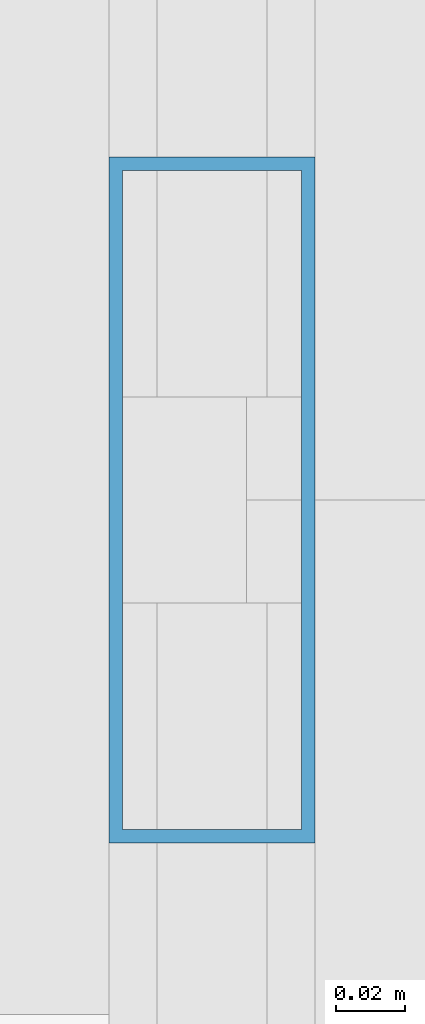
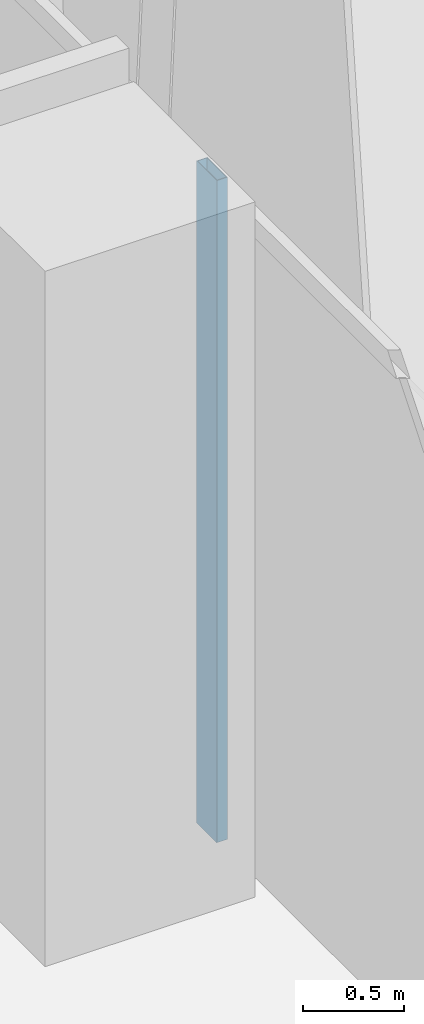
# One storey, part 18 of 46: 1 member, 1 element without a shape of its own.
"""IFC4 building model written with IfcOpenShell, lengths in metres."""

from ifc_helpers import new_model, si_unit, direction, frame, origin, origin_2d, place, context, subcontext, project, spatial, hollow_rectangle, extrude, source, transform, mapped, material, material_profile, profile_set, type_object, element, aggregate, save


model = new_model("IFC4")

# Units and contexts
model_context = context("Model", 3, precision=1e-05, world=origin(), true_north=direction((0.0, 1.0)))
body_context = subcontext(model_context, "Body", "Model", "MODEL_VIEW")
ifc_project = project(units=[si_unit("LENGTHUNIT", "METRE"), si_unit("AREAUNIT", "SQUARE_METRE"), si_unit("VOLUMEUNIT", "CUBIC_METRE"), si_unit("PLANEANGLEUNIT", "RADIAN"), si_unit("MASSUNIT", "GRAM", prefix="KILO")], contexts=[model_context])

# Site, building, storey
site_placement = place(None, origin())
site = spatial("IfcSite", under=ifc_project, at=site_placement, CompositionType="ELEMENT")
building_placement = place(site_placement, origin())
building = spatial("IfcBuilding", under=site, at=building_placement, Name="Khomas Fold Tower", CompositionType="ELEMENT")
storey_placement = place(building_placement, frame((0.0, 0.0, 33.0)))
storey = spatial("IfcBuildingStorey", under=building, at=storey_placement, Name="L06", CompositionType="ELEMENT", Elevation=33.0)

# Curtain wall, member
ifc_material_1 = material(Name="Aluminium framed double glazing", Category="aluminium")
curtain_wall_type = type_object("IfcCurtainWallType", Name="SK-Unitised clear-glass wall, growing floors CW1", PredefinedType="NOTDEFINED", material=ifc_material_1)
curtain_wall_placement = place(storey_placement, origin())
curtain_wall = element("IfcCurtainWall", 1, at=curtain_wall_placement, inside=storey, type_object=curtain_wall_type, Name="CW1 run L06 03-1", PredefinedType="NOTDEFINED")
ifc_material_2 = material(Name="Aluminium", Category="aluminium")
ifc_material_profile = material_profile(ifc_material_2, hollow_rectangle(XDim=0.06005859375, YDim=0.199951171875, WallThickness=0.00390625, at=origin_2d()), Name="SK-Unitised clear-glass wall, growing floors mullion CW1-M")
ifc_profile_set = profile_set([ifc_material_profile], Name="Aluminium")
member_type = type_object("IfcMemberType", Name="SK-Unitised clear-glass wall, growing floors mullion CW1-M", PredefinedType="MULLION", material=ifc_profile_set)
shared_shape = source(origin(), body_context, "Body", "SweptSolid", [
    extrude(hollow_rectangle(XDim=0.06005859375, YDim=0.199951171875, WallThickness=0.00390625, at=origin_2d()), origin(), (0.0, 0.0, 1.0), 4.0),
])
member_placement = place(storey_placement, frame((53.89990234375, 34.5, 0.0), z_axis=(0.0, 0.0, 1.0), x_axis=(-1.0, 0.0, 0.0)))
member = element("IfcMember", 2, at=member_placement, type_object=member_type, Name="CW1 mullion 3", PredefinedType="MULLION", context=body_context, shape_type="MappedRepresentation", body=[
    mapped(shared_shape, transform((0.0, 0.0, 0.0))),
])
aggregate(curtain_wall, [member])

save(model, "model.ifc")
